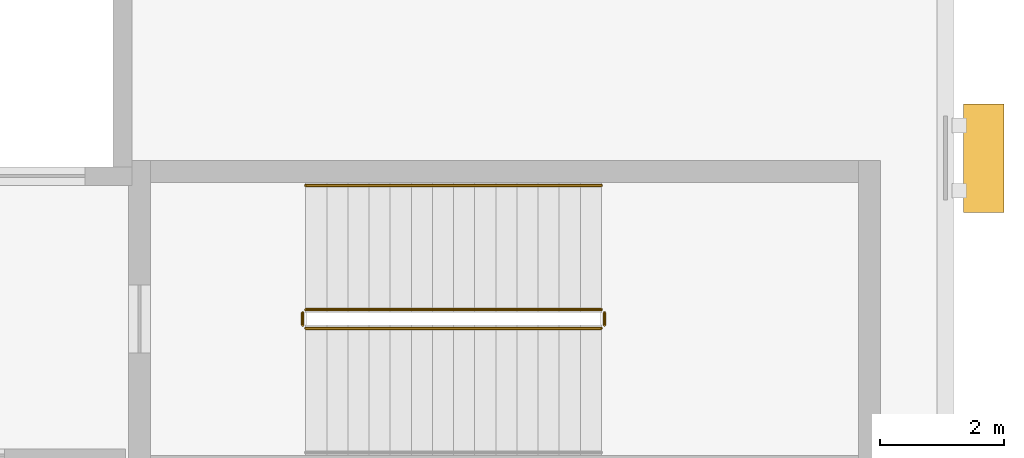
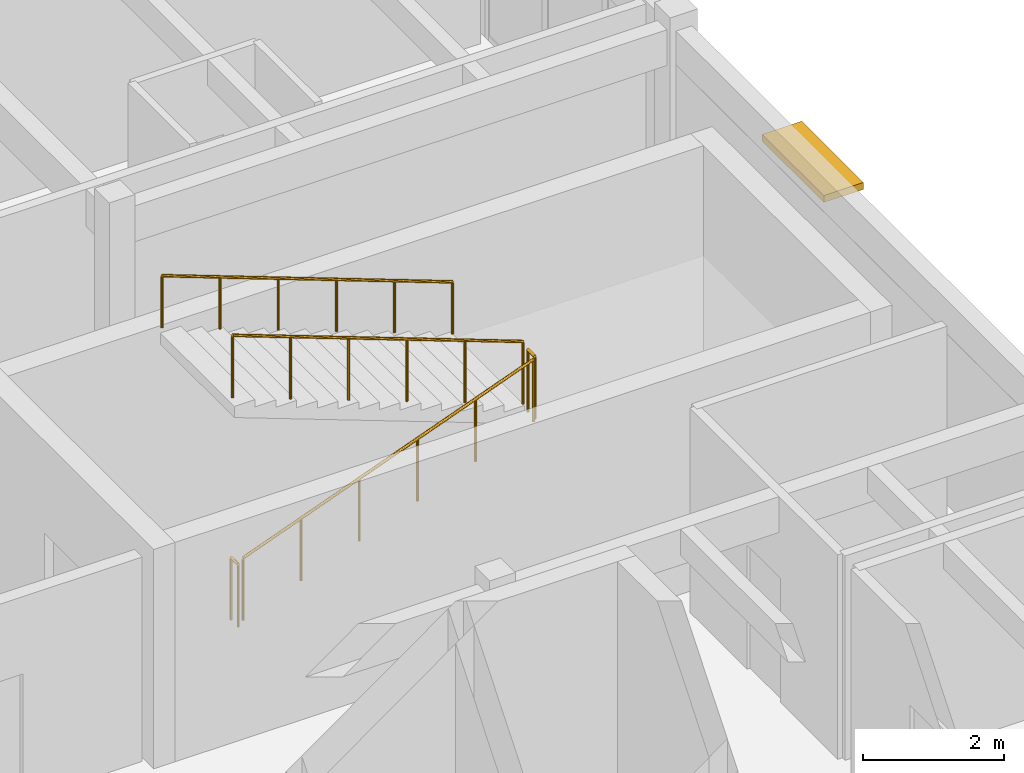
# One storey, part 14 of 14: 5 railings, 1 shading device.
"""IFC4 building model written with IfcOpenShell, lengths in metres."""

import ifcopenshell
import ifcopenshell.guid

model = None  # the IFC model being written
_history = None  # IfcOwnerHistory: only IFC2X3 demands one
_inside = {}  # id of a spatial element -> (the spatial element, [elements in it])
_under = {}  # id of a project, library or spatial element -> (it, [spatial elements below it])
_declared = {}  # id of a project -> (the project, [libraries it declares])
_typed = {}  # id of a type object -> (the type object, [elements of that type])
_made_of = {}  # id of a material, layer set ... -> (it, [elements and type objects made of it])


def new_model(schema):
    """Start an empty IFC model of exactly this schema.

    Asked for "IFC4X3", IfcOpenShell would pick the latest addendum, in which some entities
    have other attributes; the version numbers below select the first issue.
    IFC2X3 requires an IfcOwnerHistory on every rooted entity: one is made here for all.
    """
    global model, _history
    if schema == "IFC4X3":
        model = ifcopenshell.file(schema_version=(4, 3, 0, 0))
    else:
        model = ifcopenshell.file(schema=schema)
    _inside.clear()
    _under.clear()
    _declared.clear()
    _typed.clear()
    _made_of.clear()
    _history = None
    if model.schema == "IFC2X3":
        org = make("IfcOrganization", Name="unknown")
        user = make(
            "IfcPersonAndOrganization",
            ThePerson=make("IfcPerson", FamilyName="unknown"),
            TheOrganization=org,
        )
        app = make(
            "IfcApplication",
            ApplicationDeveloper=org,
            Version="unknown",
            ApplicationFullName="unknown",
            ApplicationIdentifier="unknown",
        )
        _history = make(
            "IfcOwnerHistory",
            OwningUser=user,
            OwningApplication=app,
            ChangeAction="ADDED",
            CreationDate=0,
        )
    return model


def make(cls, **values):
    """One entity of the class cls with the attributes given. An attribute that is None is left unset."""
    return model.create_entity(
        cls, **{name: value for name, value in values.items() if value is not None}
    )


def rooted(cls, **values):
    """An entity with a GlobalId (a new one), such as an element, a storey or a relation."""
    return make(cls, GlobalId=ifcopenshell.guid.new(), OwnerHistory=_history, **values)


def si_unit(unit_type, name, prefix=None):
    """IfcSIUnit, for example si_unit("LENGTHUNIT", "METRE", prefix="MILLI")."""
    return make("IfcSIUnit", UnitType=unit_type, Prefix=prefix, Name=name)


def assignment(units):
    """IfcUnitAssignment: the units of a project."""
    return None if units is None else make("IfcUnitAssignment", Units=units)


def point(xyz):
    """IfcCartesianPoint."""
    return None if xyz is None else make("IfcCartesianPoint", Coordinates=xyz)


def direction(xyz):
    """IfcDirection."""
    return None if xyz is None else make("IfcDirection", DirectionRatios=xyz)


def frame(location, z_axis=None, x_axis=None):
    """IfcAxis2Placement3D, a coordinate frame: its origin and axes. An axis left out is left unset."""
    return make(
        "IfcAxis2Placement3D",
        Location=point(location),
        Axis=direction(z_axis),
        RefDirection=direction(x_axis),
    )


def frame_2d(location, x_axis=None):
    """IfcAxis2Placement2D, a coordinate frame in the plane: its origin and x axis."""
    return make(
        "IfcAxis2Placement2D", Location=point(location), RefDirection=direction(x_axis)
    )


def origin():
    """The frame at (0, 0, 0) with its axes left unset."""
    return frame((0.0, 0.0, 0.0))


def origin_2d():
    """The frame at (0, 0) in the plane with its x axis left unset."""
    return frame_2d((0.0, 0.0))


def place(relative_to, where):
    """IfcLocalPlacement: puts the frame where relative to a parent placement (None: the world)."""
    return make(
        "IfcLocalPlacement", PlacementRelTo=relative_to, RelativePlacement=where
    )


def context(
    kind, dimensions, precision=None, world=None, true_north=None, identifier=None
):
    """IfcGeometricRepresentationContext, for example the 3D "Model" context."""
    return make(
        "IfcGeometricRepresentationContext",
        ContextIdentifier=identifier,
        ContextType=kind,
        CoordinateSpaceDimension=dimensions,
        Precision=precision,
        WorldCoordinateSystem=world,
        TrueNorth=true_north,
    )


def subcontext(parent, identifier, kind, view, scale=None):
    """IfcGeometricRepresentationSubContext, for example "Body" below "Model"."""
    return make(
        "IfcGeometricRepresentationSubContext",
        ContextIdentifier=identifier,
        ContextType=kind,
        ParentContext=parent,
        TargetScale=scale,
        TargetView=view,
    )


def project(units=None, contexts=None):
    """IfcProject with its units and contexts."""
    return rooted(
        "IfcProject",
        Name="project",
        RepresentationContexts=contexts,
        UnitsInContext=assignment(units),
    )


def spatial(cls, under=None, at=None, **own):
    """A site, building, storey or space (cls), placed at a placement, below another one or the project."""
    s = rooted(cls, ObjectPlacement=at, **own)
    if under is not None:
        _under.setdefault(under.id(), (under, []))[1].append(s)
    return s


def profile(cls, at=None, kind="AREA", **sizes):
    """A parametric profile (cls). Its sizes go by their IFC names, for example OverallWidth=200.0."""
    return make(cls, ProfileType=kind, Position=at, **sizes)


def rectangle(**sizes):
    """IfcRectangleProfileDef."""
    return profile("IfcRectangleProfileDef", **sizes)


def circle(**sizes):
    """IfcCircleProfileDef."""
    return profile("IfcCircleProfileDef", **sizes)


def extrude(swept, where, along, depth):
    """IfcExtrudedAreaSolid: the profile swept, set in the frame where, extruded along a direction by depth."""
    return make(
        "IfcExtrudedAreaSolid",
        SweptArea=swept,
        Position=where,
        ExtrudedDirection=direction(along),
        Depth=depth,
    )


def shape(context_of_items, identifier, shape_type, items):
    """IfcShapeRepresentation: the items that make up one representation, for example the "Body"."""
    return make(
        "IfcShapeRepresentation",
        ContextOfItems=context_of_items,
        RepresentationIdentifier=identifier,
        RepresentationType=shape_type,
        Items=items,
    )


def material(Name=None, Category=None):
    """IfcMaterial."""
    return make("IfcMaterial", Name=Name, Category=Category)


def made_of(thing, what):
    """Note that an element or type object is made of a material, layer set ...; save() writes the relation."""
    if what is not None:
        _made_of.setdefault(what.id(), (what, []))[1].append(thing)
    return thing


def type_object(cls, material=None, **own):
    """A type object (cls), such as IfcWallType, which elements share."""
    return made_of(rooted(cls, **own), material)


def element(
    cls,
    number,
    at=None,
    inside=None,
    cuts=None,
    type_object=None,
    material=None,
    context=None,
    identifier="Body",
    shape_type=None,
    held_by="IfcProductDefinitionShape",
    body=None,
    shapes=None,
    **own,
):
    """One element of the class cls, such as IfcWall. Its Tag is "e" and its number.

    at: its placement. inside: the storey or other place that contains it. cuts: it is an
    opening in that element (IfcRelVoidsElement). A single representation is given by context,
    identifier, shape_type and body (its items); several are given by shapes. held_by: the class
    of the entity that holds the representations. save() writes the other relations.
    """
    e = rooted(cls, Tag="e%d" % number, ObjectPlacement=at, **own)
    if body is not None:
        shapes = [shape(context, identifier, shape_type, body)]
    if shapes is not None:
        e.Representation = make(held_by, Representations=shapes)
    if inside is not None:
        _inside.setdefault(inside.id(), (inside, []))[1].append(e)
    if cuts is not None:
        rooted(
            "IfcRelVoidsElement", RelatingBuildingElement=cuts, RelatedOpeningElement=e
        )
    if type_object is not None:
        _typed.setdefault(type_object.id(), (type_object, []))[1].append(e)
    return made_of(e, material)


def aggregate(whole, parts):
    """IfcRelAggregates: a whole, such as a stair, and the parts it consists of."""
    return rooted("IfcRelAggregates", RelatingObject=whole, RelatedObjects=parts)


def save(model, path):
    """Write the relations noted so far, then the file.

    IfcRelAggregates (storeys below a building ...), IfcRelContainedInSpatialStructure (elements
    in a storey), IfcRelDefinesByType, IfcRelAssociatesMaterial and IfcRelDeclares: one each for
    every whole, place, type object, material and project.
    """
    for whole, parts in _under.values():
        aggregate(whole, parts)
    for where, things in _inside.values():
        rooted(
            "IfcRelContainedInSpatialStructure",
            RelatedElements=things,
            RelatingStructure=where,
        )
    for kind, things in _typed.values():
        rooted("IfcRelDefinesByType", RelatedObjects=things, RelatingType=kind)
    for what, things in _made_of.values():
        rooted("IfcRelAssociatesMaterial", RelatedObjects=things, RelatingMaterial=what)
    for by, libraries in _declared.values():
        rooted("IfcRelDeclares", RelatingContext=by, RelatedDefinitions=libraries)
    model.write(path)


model = new_model("IFC4")

# Units and contexts
model_context = context("Model", 3, precision=1e-05, world=origin(), true_north=direction((0.0, 1.0)))
body_context = subcontext(model_context, "Body", "Model", "MODEL_VIEW")
ifc_project = project(units=[si_unit("LENGTHUNIT", "METRE"), si_unit("AREAUNIT", "SQUARE_METRE"), si_unit("VOLUMEUNIT", "CUBIC_METRE"), si_unit("PLANEANGLEUNIT", "RADIAN"), si_unit("MASSUNIT", "GRAM", prefix="KILO")], contexts=[model_context])

# Site, building, storey
site_placement = place(None, origin())
site = spatial("IfcSite", under=ifc_project, at=site_placement, CompositionType="ELEMENT")
building_placement = place(site_placement, origin())
building = spatial("IfcBuilding", under=site, at=building_placement, Name="Veldera Park Congress Hotel", CompositionType="ELEMENT")
storey_placement = place(building_placement, frame((0.0, 0.0, 42.800048828125)))
storey = spatial("IfcBuildingStorey", under=building, at=storey_placement, Name="L10", CompositionType="ELEMENT", Elevation=42.800048828125)

# Railings
ifc_material_1 = material(Name="Steel ASTM A992 Gr.50", Category="steel")
railing_type_1 = type_object("IfcRailingType", Name="GRD-ST110", PredefinedType="GUARDRAIL", material=ifc_material_1)
railing_1_placement = place(storey_placement, frame((73.699951171875, 41.64990234375, 0.126708984375)))
element("IfcRailing", 1, at=railing_1_placement, inside=storey, type_object=railing_type_1, Name="L10 ST1 stair guard 1", PredefinedType="GUARDRAIL", context=body_context, shape_type="SweptSolid", body=[
    extrude(circle(Radius=0.02392578125, at=origin_2d()), frame((0.0, 0.0, 1.076171875), z_axis=(0.937091363699, 0.0, 0.349084196263), x_axis=(0.0, 1.0, 0.0)), (0.0, 0.0, 1.0), 5.07958984375),
    extrude(circle(Radius=0.02099609375, at=origin_2d()), origin(), (0.0, 0.0, 1.0), 1.052001953125),
    extrude(circle(Radius=0.02099609375, at=origin_2d()), frame((0.951904296875, 0.0, 0.354736328125)), (0.0, 0.0, 1.0), 1.052001953125),
    extrude(circle(Radius=0.02099609375, at=origin_2d()), frame((1.904052734375, 0.0, 0.709228515625)), (0.0, 0.0, 1.0), 1.052001953125),
    extrude(circle(Radius=0.02099609375, at=origin_2d()), frame((2.85595703125, 0.0, 1.06396484375)), (0.0, 0.0, 1.0), 1.052001953125),
    extrude(circle(Radius=0.02099609375, at=origin_2d()), frame((3.80810546875, 0.0, 1.41845703125)), (0.0, 0.0, 1.0), 1.052001953125),
    extrude(circle(Radius=0.02099609375, at=origin_2d()), frame((4.760009765625, 0.0, 1.773193359375)), (0.0, 0.0, 1.0), 1.052001953125),
])
railing_2_placement = place(storey_placement, frame((78.510009765625, 41.699951171875, 1.89990234375)))
element("IfcRailing", 2, at=railing_2_placement, inside=storey, type_object=railing_type_1, Name="L10 ST1 stair guard 2", PredefinedType="GUARDRAIL", context=body_context, shape_type="SweptSolid", body=[
    extrude(circle(Radius=0.02392578125, at=origin_2d()), frame((0.0, 0.0, 1.076171875), z_axis=(0.0, 1.0, 0.0), x_axis=(-1.0, 0.0, 0.0)), (0.0, 0.0, 1.0), 0.199951171875),
    extrude(circle(Radius=0.02099609375, at=origin_2d()), origin(), (0.0, 0.0, 1.0), 1.052001953125),
    extrude(circle(Radius=0.02099609375, at=origin_2d()), frame((0.0, 0.199951171875, 0.0)), (0.0, 0.0, 1.0), 1.052001953125),
])
railing_3_placement = place(storey_placement, frame((78.4599609375, 41.949951171875, 2.026611328125)))
element("IfcRailing", 3, at=railing_3_placement, inside=storey, type_object=railing_type_1, Name="L10 ST1 stair guard 3", PredefinedType="GUARDRAIL", context=body_context, shape_type="SweptSolid", body=[
    extrude(circle(Radius=0.02392578125, at=origin_2d()), frame((0.0, 0.0, 1.076171875), z_axis=(-0.937075640343, 0.0, 0.349126401572), x_axis=(0.0, -1.0, 0.0)), (0.0, 0.0, 1.0), 5.07958984375),
    extrude(circle(Radius=0.02099609375, at=origin_2d()), origin(), (0.0, 0.0, 1.0), 1.052001953125),
    extrude(circle(Radius=0.02099609375, at=origin_2d()), frame((-0.951904296875, 0.0, 0.354736328125)), (0.0, 0.0, 1.0), 1.052001953125),
    extrude(circle(Radius=0.02099609375, at=origin_2d()), frame((-1.904052734375, 0.0, 0.70947265625)), (0.0, 0.0, 1.0), 1.052001953125),
    extrude(circle(Radius=0.02099609375, at=origin_2d()), frame((-2.85595703125, 0.0, 1.06396484375)), (0.0, 0.0, 1.0), 1.052001953125),
    extrude(circle(Radius=0.02099609375, at=origin_2d()), frame((-3.80810546875, 0.0, 1.418701171875)), (0.0, 0.0, 1.0), 1.052001953125),
    extrude(circle(Radius=0.02099609375, at=origin_2d()), frame((-4.760009765625, 0.0, 1.7734375)), (0.0, 0.0, 1.0), 1.052001953125),
])
railing_4_placement = place(storey_placement, frame((73.64990234375, 41.699951171875, 0.0)))
element("IfcRailing", 4, at=railing_4_placement, inside=storey, type_object=railing_type_1, Name="L10 ST1 stair guard 4", PredefinedType="GUARDRAIL", context=body_context, shape_type="SweptSolid", body=[
    extrude(circle(Radius=0.02392578125, at=origin_2d()), frame((0.0, 0.0, 1.076171875), z_axis=(0.0, 1.0, 0.0), x_axis=(-1.0, 0.0, 0.0)), (0.0, 0.0, 1.0), 0.199951171875),
    extrude(circle(Radius=0.02099609375, at=origin_2d()), origin(), (0.0, 0.0, 1.0), 1.052001953125),
    extrude(circle(Radius=0.02099609375, at=origin_2d()), frame((0.0, 0.199951171875, 0.0)), (0.0, 0.0, 1.0), 1.052001953125),
])
railing_type_2 = type_object("IfcRailingType", Name="HRL-920", PredefinedType="HANDRAIL", material=ifc_material_1)
railing_5_placement = place(storey_placement, frame((78.4599609375, 43.949951171875, 2.026611328125)))
element("IfcRailing", 5, at=railing_5_placement, inside=storey, type_object=railing_type_2, Name="L10 ST1 stair handrail 2", PredefinedType="HANDRAIL", context=body_context, shape_type="SweptSolid", body=[
    extrude(circle(Radius=0.02392578125, at=origin_2d()), frame((0.0, 0.0, 0.89599609375), z_axis=(-0.937075640343, 0.0, 0.349126401572), x_axis=(0.0, -1.0, 0.0)), (0.0, 0.0, 1.0), 5.07958984375),
    extrude(circle(Radius=0.02099609375, at=origin_2d()), origin(), (0.0, 0.0, 1.0), 0.871826171875),
    extrude(circle(Radius=0.02099609375, at=origin_2d()), frame((-0.951904296875, 0.0, 0.354736328125)), (0.0, 0.0, 1.0), 0.871826171875),
    extrude(circle(Radius=0.02099609375, at=origin_2d()), frame((-1.904052734375, 0.0, 0.70947265625)), (0.0, 0.0, 1.0), 0.871826171875),
    extrude(circle(Radius=0.02099609375, at=origin_2d()), frame((-2.85595703125, 0.0, 1.06396484375)), (0.0, 0.0, 1.0), 0.871826171875),
    extrude(circle(Radius=0.02099609375, at=origin_2d()), frame((-3.80810546875, 0.0, 1.418701171875)), (0.0, 0.0, 1.0), 0.871826171875),
    extrude(circle(Radius=0.02099609375, at=origin_2d()), frame((-4.760009765625, 0.0, 1.7734375)), (0.0, 0.0, 1.0), 0.871826171875),
])

# Shading device
ifc_material_2 = material(Name="Glulam GL28h (NDS 24F-V4)", Category="wood")
shading_device_type = type_object("IfcShadingDeviceType", Name="SHD-LVR300", PredefinedType="JALOUSIE", material=ifc_material_2)
shading_device_placement = place(storey_placement, frame((84.617431640625, 44.388427734375, 2.519775390625), z_axis=(0.0, 0.0, 1.0), x_axis=(0.0, 1.0, 0.0)))
element("IfcShadingDevice", 6, at=shading_device_placement, inside=storey, type_object=shading_device_type, Name="Glulam Solar Shade 254", PredefinedType="JALOUSIE", context=body_context, shape_type="SweptSolid", body=[
    extrude(rectangle(XDim=1.75, YDim=0.64990234375, at=origin_2d()), origin(), (0.0, 0.0, 1.0), 0.1201171875),
])

save(model, "model.ifc")
